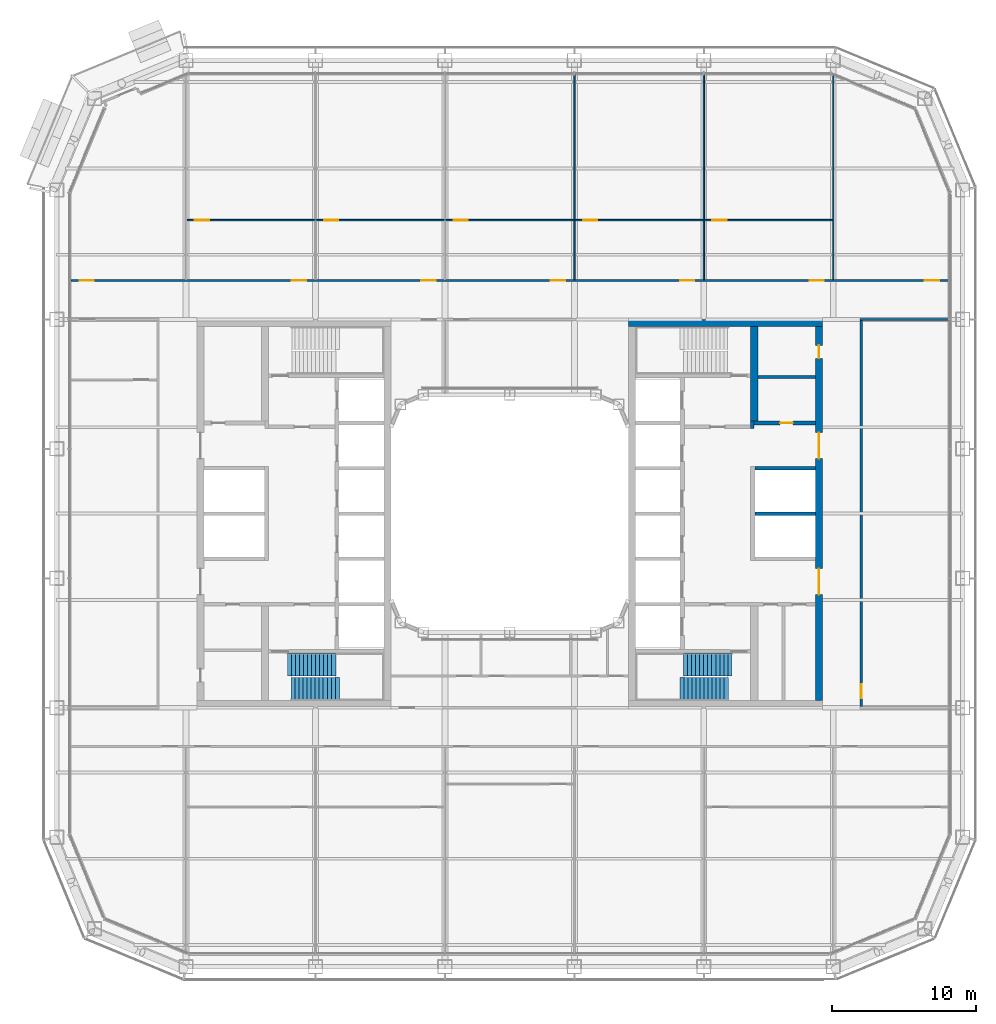
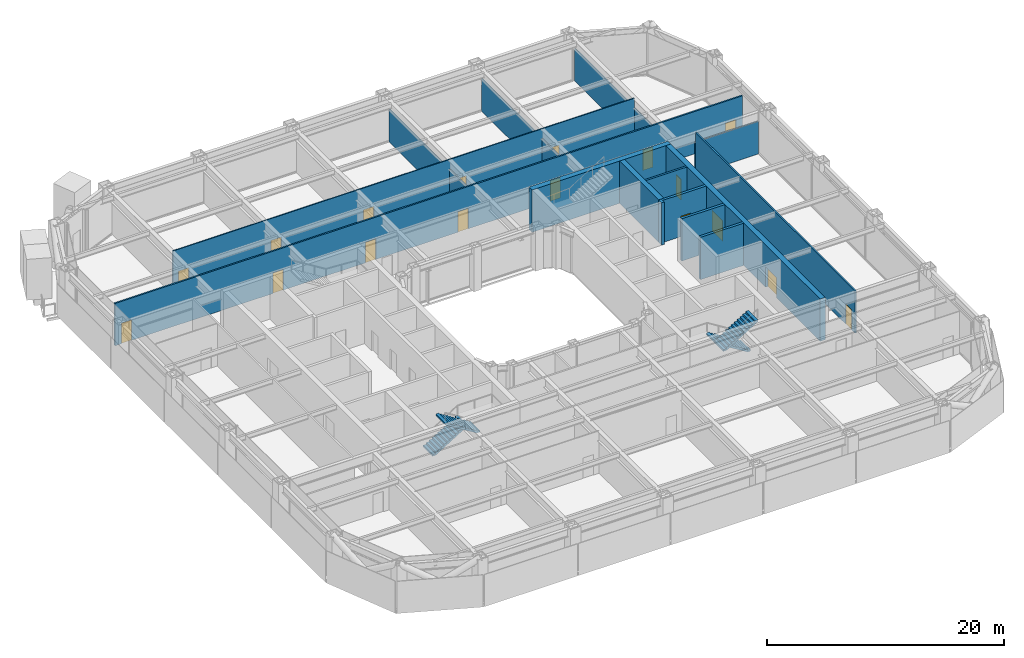
# One storey, part 16 of 29: 17 doors, 17 walls, 4 stair flights, 17 openings, 2 elements without a shape of their own.
"""IFC4 building model written with IfcOpenShell, lengths in metres."""

from ifc_helpers import new_model, si_unit, direction, frame, frame_2d, origin, place, context, subcontext, project, spatial, polyline, rectangle, outline, extrude, material, layer, layer_set, type_object, element, fill, aggregate, save


model = new_model("IFC4")

# Units and contexts
model_context = context("Model", 3, precision=1e-05, world=origin(), true_north=direction((0.0, 1.0)))
body_context = subcontext(model_context, "Body", "Model", "MODEL_VIEW")
ifc_project = project(units=[si_unit("LENGTHUNIT", "METRE"), si_unit("AREAUNIT", "SQUARE_METRE"), si_unit("VOLUMEUNIT", "CUBIC_METRE"), si_unit("PLANEANGLEUNIT", "RADIAN"), si_unit("MASSUNIT", "GRAM", prefix="KILO")], contexts=[model_context])

# Site, building, storey
site_placement = place(None, origin())
site = spatial("IfcSite", under=ifc_project, at=site_placement, CompositionType="ELEMENT")
building_placement = place(site_placement, origin())
building = spatial("IfcBuilding", under=site, at=building_placement, Name="Siwar Civic Tower", CompositionType="ELEMENT")
storey_placement = place(building_placement, frame((0.0, 0.0, 67.199951171875)))
storey = spatial("IfcBuildingStorey", under=building, at=storey_placement, Name="L14", CompositionType="ELEMENT", Elevation=67.199951171875)

# Walls
ifc_material_1 = material(Name="Gypsum board on steel studs", Category="steel")
ifc_layer_1 = layer(ifc_material_1, 0.199951171875)
ifc_layer_set_1 = layer_set([ifc_layer_1], Name="Gypsum board on steel studs")
wall_type_1 = type_object("IfcWallType", Name="CORE-PARTITION-200", PredefinedType="PARTITIONING", material=ifc_layer_set_1)
wall_1_placement = place(storey_placement, frame((17.25, 9.5, 0.0), z_axis=(0.0, 0.0, 1.0), x_axis=(1.0, 0.0, 0.0)))
element("IfcWall", 1, at=wall_1_placement, inside=storey, type_object=wall_type_1, Name="Core partition E", PredefinedType="PARTITIONING", context=body_context, shape_type="SweptSolid", body=[
    extrude(rectangle(XDim=4.0, YDim=0.199951171875, at=frame_2d((2.0, 0.0))), origin(), (0.0, 0.0, 1.0), 4.35009765625),
])
ifc_material_2 = material(Name="Concrete C60/75", Category="concrete")
ifc_layer_2 = layer(ifc_material_2, 0.25)
ifc_layer_set_2 = layer_set([ifc_layer_2], Name="Concrete C60/75")
wall_type_2 = type_object("IfcWallType", Name="CORE-WALL-RC250", PredefinedType="SHEAR", material=ifc_layer_set_2)
wall_2_placement = place(storey_placement, frame((16.875, 5.89990234375, 0.0), z_axis=(0.0, 0.0, 1.0), x_axis=(0.0, 1.0, 0.0)))
element("IfcWall", 2, at=wall_2_placement, inside=storey, type_object=wall_type_2, Name="Core wall E", PredefinedType="SHEAR", context=body_context, shape_type="SweptSolid", body=[
    extrude(rectangle(XDim=0.525146484375, YDim=0.25, at=frame_2d((0.2626953125, 0.0))), origin(), (0.0, 0.0, 1.0), 4.35009765625),
])

# Wall, opening, door
wall_3_placement = place(storey_placement, frame((17.0, 6.300048828125, 0.0), z_axis=(0.0, 0.0, 1.0), x_axis=(1.0, 0.0, 0.0)))
wall_3 = element("IfcWall", 3, at=wall_3_placement, inside=storey, type_object=wall_type_2, Name="Core wall E", PredefinedType="SHEAR", context=body_context, shape_type="SweptSolid", body=[
    extrude(rectangle(XDim=4.25, YDim=0.25, at=frame_2d((2.125, 0.0))), origin(), (0.0, 0.0, 1.0), 4.35009765625),
])
opening_1_placement = place(wall_3_placement, frame((1.800048828125, 0.0, 0.0)))
opening_1 = element("IfcOpeningElement", 4, at=opening_1_placement, cuts=wall_3, Name="Opening L14-CE13", PredefinedType="OPENING", context=body_context, shape_type="SweptSolid", body=[
    extrude(rectangle(XDim=0.89990234375, YDim=2.10009765625, at=frame_2d((0.449951171875, 1.050048828125))), frame((0.0, 0.135009765625, 0.0), z_axis=(0.0, -1.0, 0.0), x_axis=(1.0, 0.0, 0.0)), (0.0, 0.0, 1.0), 0.27001953125),
])
ifc_material_3 = material(Name="Steel door leaf", Category="steel")
door_type_1 = type_object("IfcDoorType", Name="CORE-DOOR-ROOM", OperationType="SINGLE_SWING_LEFT", PredefinedType="DOOR", material=ifc_material_3)
door_1_placement = place(opening_1_placement, origin())
door_1 = element("IfcDoor", 5, at=door_1_placement, inside=storey, type_object=door_type_1, Name="Core room door L14-CE13", OperationType="SINGLE_SWING_RIGHT", OverallHeight=2.10009765625, OverallWidth=0.89990234375, PredefinedType="DOOR", context=body_context, shape_type="SweptSolid", body=[
    extrude(rectangle(XDim=0.89990234375, YDim=2.10009765625, at=frame_2d((0.449951171875, 1.050048828125))), frame((0.0, 0.02490234375, 0.0), z_axis=(0.0, -1.0, 0.0), x_axis=(1.0, 0.0, 0.0)), (0.0, 0.0, 1.0), 0.050048828125),
])
fill(opening_1, door_1)

# Walls
for number, where, z_axis, x_axis, name in (
    (6, (17.050048828125, 0.0, 0.0), (0.0, 0.0, 1.0), (1.0, 0.0, 0.0), "Core wall E"),
    (7, (17.050048828125, 3.14990234375, 0.0), (0.0, 0.0, 1.0), (1.0, 0.0, 0.0), "Core wall E"),
):
    element("IfcWall", number, at=place(storey_placement, frame(where, z_axis=z_axis, x_axis=x_axis)), inside=storey, type_object=wall_type_2, Name=name, PredefinedType="SHEAR", context=body_context, shape_type="SweptSolid", body=[
        extrude(rectangle(XDim=4.199951171875, YDim=0.25, at=frame_2d((2.10009765625, 0.0))), origin(), (0.0, 0.0, 1.0), 4.35009765625),
    ])

# Wall, openings, doors
ifc_material_4 = material(Name="Concrete C60/75", Category="concrete")
ifc_layer_3 = layer(ifc_material_4, 0.5)
ifc_layer_set_3 = layer_set([ifc_layer_3], Name="Concrete C60/75")
wall_type_3 = type_object("IfcWallType", Name="CORE-WALL-RC500", PredefinedType="SHEAR", material=ifc_layer_set_3)
wall_4_placement = place(storey_placement, frame((21.5, -13.0, 0.0), z_axis=(0.0, 0.0, 1.0), x_axis=(0.0, 1.0, 0.0)))
wall_4 = element("IfcWall", 8, at=wall_4_placement, inside=storey, type_object=wall_type_3, Name="Core wall E", PredefinedType="SHEAR", context=body_context, shape_type="SweptSolid", body=[
    extrude(rectangle(XDim=26.0, YDim=0.5, at=frame_2d((13.0, 0.0))), origin(), (0.0, 0.0, 1.0), 4.35009765625),
])
opening_2_placement = place(wall_4_placement, frame((16.824951171875, 0.0, 0.0)))
opening_2 = element("IfcOpeningElement", 9, at=opening_2_placement, cuts=wall_4, Name="Opening L14-CE05", PredefinedType="OPENING", context=body_context, shape_type="SweptSolid", body=[
    extrude(rectangle(XDim=1.800048828125, YDim=2.10009765625, at=frame_2d((0.89990234375, 1.050048828125))), frame((0.0, 0.260009765625, 0.0), z_axis=(0.0, -1.0, 0.0), x_axis=(1.0, 0.0, 0.0)), (0.0, 0.0, 1.0), 0.52001953125),
])
opening_3_placement = place(wall_4_placement, frame((7.375, 0.0, 0.0)))
opening_3 = element("IfcOpeningElement", 10, at=opening_3_placement, cuts=wall_4, Name="Opening L14-CE06", PredefinedType="OPENING", context=body_context, shape_type="SweptSolid", body=[
    extrude(rectangle(XDim=1.800048828125, YDim=2.10009765625, at=frame_2d((0.89990234375, 1.050048828125))), frame((0.0, 0.260009765625, 0.0), z_axis=(0.0, -1.0, 0.0), x_axis=(1.0, 0.0, 0.0)), (0.0, 0.0, 1.0), 0.52001953125),
])
opening_4_placement = place(wall_4_placement, frame((23.800048828125, 0.0, 0.0)))
opening_4 = element("IfcOpeningElement", 11, at=opening_4_placement, cuts=wall_4, Name="Opening L14-CE14", PredefinedType="OPENING", context=body_context, shape_type="SweptSolid", body=[
    extrude(rectangle(XDim=0.89990234375, YDim=2.10009765625, at=frame_2d((0.449951171875, 1.050048828125))), frame((0.0, 0.260009765625, 0.0), z_axis=(0.0, -1.0, 0.0), x_axis=(1.0, 0.0, 0.0)), (0.0, 0.0, 1.0), 0.52001953125),
])
ifc_material_5 = material(Name="Steel door leaf", Category="steel")
door_type_2 = type_object("IfcDoorType", Name="CORE-DOOR-PORT", OperationType="DOUBLE_DOOR_DOUBLE_SWING", PredefinedType="DOOR", material=ifc_material_5)
door_2_placement = place(opening_2_placement, origin())
door_2 = element("IfcDoor", 12, at=door_2_placement, inside=storey, type_object=door_type_2, Name="Core entrance door L14-CE05", OperationType="DOUBLE_DOOR_DOUBLE_SWING", OverallHeight=2.10009765625, OverallWidth=1.800048828125, PredefinedType="DOOR", context=body_context, shape_type="SweptSolid", body=[
    extrude(rectangle(XDim=1.800048828125, YDim=2.10009765625, at=frame_2d((0.89990234375, 1.050048828125))), frame((0.0, 0.02490234375, 0.0), z_axis=(0.0, -1.0, 0.0), x_axis=(1.0, 0.0, 0.0)), (0.0, 0.0, 1.0), 0.050048828125),
])
fill(opening_2, door_2)
door_3_placement = place(opening_3_placement, origin())
door_3 = element("IfcDoor", 13, at=door_3_placement, inside=storey, type_object=door_type_2, Name="Core entrance door L14-CE06", OperationType="DOUBLE_DOOR_DOUBLE_SWING", OverallHeight=2.10009765625, OverallWidth=1.800048828125, PredefinedType="DOOR", context=body_context, shape_type="SweptSolid", body=[
    extrude(rectangle(XDim=1.800048828125, YDim=2.10009765625, at=frame_2d((0.89990234375, 1.050048828125))), frame((0.0, 0.02490234375, 0.0), z_axis=(0.0, -1.0, 0.0), x_axis=(1.0, 0.0, 0.0)), (0.0, 0.0, 1.0), 0.050048828125),
])
fill(opening_3, door_3)
door_4_placement = place(opening_4_placement, origin())
door_4 = element("IfcDoor", 14, at=door_4_placement, inside=storey, type_object=door_type_1, Name="Core room door L14-CE14", OperationType="SINGLE_SWING_RIGHT", OverallHeight=2.10009765625, OverallWidth=0.89990234375, PredefinedType="DOOR", context=body_context, shape_type="SweptSolid", body=[
    extrude(rectangle(XDim=0.89990234375, YDim=2.10009765625, at=frame_2d((0.449951171875, 1.050048828125))), frame((0.0, 0.02490234375, 0.0), z_axis=(0.0, -1.0, 0.0), x_axis=(1.0, 0.0, 0.0)), (0.0, 0.0, 1.0), 0.050048828125),
])
fill(opening_4, door_4)

# Walls
wall_5_placement = place(storey_placement, frame((17.0, 6.425048828125, 0.0), z_axis=(0.0, 0.0, 1.0), x_axis=(0.0, 1.0, 0.0)))
element("IfcWall", 15, at=wall_5_placement, inside=storey, type_object=wall_type_3, Name="Core wall E", PredefinedType="SHEAR", context=body_context, shape_type="SweptSolid", body=[
    extrude(rectangle(XDim=6.574951171875, YDim=0.5, at=frame_2d((3.28759765625, 0.0))), origin(), (0.0, 0.0, 1.0), 4.35009765625),
])
wall_6_placement = place(storey_placement, frame((8.25, 13.25, 0.0), z_axis=(0.0, 0.0, 1.0), x_axis=(1.0, 0.0, 0.0)))
element("IfcWall", 16, at=wall_6_placement, inside=storey, type_object=wall_type_3, Name="Core wall E", PredefinedType="SHEAR", context=body_context, shape_type="SweptSolid", body=[
    extrude(rectangle(XDim=13.5, YDim=0.5, at=frame_2d((6.75, 0.0))), origin(), (0.0, 0.0, 1.0), 4.35009765625),
])
ifc_material_6 = material(Name="Gypsum board on steel studs", Category="steel")
ifc_layer_4 = layer(ifc_material_6, 0.14990234375)
ifc_layer_set_4 = layer_set([ifc_layer_4], Name="Gypsum board on steel studs")
wall_type_4 = type_object("IfcWallType", Name="CORRIDOR PARTITION 150 EI 30", PredefinedType="PARTITIONING", material=ifc_layer_set_4)
wall_7_placement = place(storey_placement, frame((24.375, 13.5, 0.0), z_axis=(0.0, 0.0, 1.0), x_axis=(1.0, 0.0, 0.0)))
element("IfcWall", 17, at=wall_7_placement, inside=storey, type_object=wall_type_4, Name="L14/wall/P13", PredefinedType="PARTITIONING", context=body_context, shape_type="SweptSolid", body=[
    extrude(rectangle(XDim=6.135009765625, YDim=0.14990234375, at=frame_2d((3.0673828125, 0.0))), origin(), (0.0, 0.0, 1.0), 3.35009765625),
])

# Wall, openings, doors
wall_8_placement = place(storey_placement, frame((-30.510009765625, 16.199951171875, 0.0), z_axis=(0.0, 0.0, 1.0), x_axis=(1.0, 0.0, 0.0)))
wall_8 = element("IfcWall", 18, at=wall_8_placement, inside=storey, type_object=wall_type_4, Name="L14/wall/P14", PredefinedType="PARTITIONING", context=body_context, shape_type="SweptSolid", body=[
    extrude(rectangle(XDim=61.02001953125, YDim=0.14990234375, at=frame_2d((30.510009765625, 0.0))), origin(), (0.0, 0.0, 1.0), 4.35009765625),
])
opening_5_placement = place(wall_8_placement, frame((15.360107421875, 0.0, 0.0)))
opening_5 = element("IfcOpeningElement", 19, at=opening_5_placement, cuts=wall_8, Name="Opening D1", PredefinedType="OPENING", context=body_context, shape_type="SweptSolid", body=[
    extrude(rectangle(XDim=1.0, YDim=2.10009765625, at=frame_2d((0.5, 1.050048828125))), frame((0.0, 0.0849609375, 0.0), z_axis=(0.0, -1.0, 0.0), x_axis=(1.0, 0.0, 0.0)), (0.0, 0.0, 1.0), 0.169921875),
])
opening_6_placement = place(wall_8_placement, frame((24.360107421875, 0.0, 0.0)))
opening_6 = element("IfcOpeningElement", 20, at=opening_6_placement, cuts=wall_8, Name="Opening D1", PredefinedType="OPENING", context=body_context, shape_type="SweptSolid", body=[
    extrude(rectangle(XDim=1.0, YDim=2.10009765625, at=frame_2d((0.5, 1.050048828125))), frame((0.0, 0.0849609375, 0.0), z_axis=(0.0, -1.0, 0.0), x_axis=(1.0, 0.0, 0.0)), (0.0, 0.0, 1.0), 0.169921875),
])
opening_7_placement = place(wall_8_placement, frame((33.360107421875, 0.0, 0.0)))
opening_7 = element("IfcOpeningElement", 21, at=opening_7_placement, cuts=wall_8, Name="Opening D1", PredefinedType="OPENING", context=body_context, shape_type="SweptSolid", body=[
    extrude(rectangle(XDim=1.0, YDim=2.10009765625, at=frame_2d((0.5, 1.050048828125))), frame((0.0, 0.0849609375, 0.0), z_axis=(0.0, -1.0, 0.0), x_axis=(1.0, 0.0, 0.0)), (0.0, 0.0, 1.0), 0.169921875),
])
opening_8_placement = place(wall_8_placement, frame((42.360107421875, 0.0, 0.0)))
opening_8 = element("IfcOpeningElement", 22, at=opening_8_placement, cuts=wall_8, Name="Opening D1", PredefinedType="OPENING", context=body_context, shape_type="SweptSolid", body=[
    extrude(rectangle(XDim=1.0, YDim=2.10009765625, at=frame_2d((0.5, 1.050048828125))), frame((0.0, 0.0849609375, 0.0), z_axis=(0.0, -1.0, 0.0), x_axis=(1.0, 0.0, 0.0)), (0.0, 0.0, 1.0), 0.169921875),
])
opening_9_placement = place(wall_8_placement, frame((51.360107421875, 0.0, 0.0)))
opening_9 = element("IfcOpeningElement", 23, at=opening_9_placement, cuts=wall_8, Name="Opening D1", PredefinedType="OPENING", context=body_context, shape_type="SweptSolid", body=[
    extrude(rectangle(XDim=1.0, YDim=2.10009765625, at=frame_2d((0.5, 1.050048828125))), frame((0.0, 0.0849609375, 0.0), z_axis=(0.0, -1.0, 0.0), x_axis=(1.0, 0.0, 0.0)), (0.0, 0.0, 1.0), 0.169921875),
])
opening_10_placement = place(wall_8_placement, frame((0.610107421875, 0.0, 0.0)))
opening_10 = element("IfcOpeningElement", 24, at=opening_10_placement, cuts=wall_8, Name="Opening D1", PredefinedType="OPENING", context=body_context, shape_type="SweptSolid", body=[
    extrude(rectangle(XDim=1.0, YDim=2.10009765625, at=frame_2d((0.5, 1.050048828125))), frame((0.0, 0.0849609375, 0.0), z_axis=(0.0, -1.0, 0.0), x_axis=(1.0, 0.0, 0.0)), (0.0, 0.0, 1.0), 0.169921875),
])
opening_11_placement = place(wall_8_placement, frame((59.3701171875, 0.0, 0.0)))
opening_11 = element("IfcOpeningElement", 25, at=opening_11_placement, cuts=wall_8, Name="Opening D1", PredefinedType="OPENING", context=body_context, shape_type="SweptSolid", body=[
    extrude(rectangle(XDim=1.0, YDim=2.10009765625, at=frame_2d((0.5, 1.050048828125))), frame((0.0, 0.0849609375, 0.0), z_axis=(0.0, -1.0, 0.0), x_axis=(1.0, 0.0, 0.0)), (0.0, 0.0, 1.0), 0.169921875),
])
ifc_material_7 = material(Name="Timber, painted", Category="wood")
door_type_3 = type_object("IfcDoorType", Name="DOOR 1000 X 2100 FD30", OperationType="SINGLE_SWING_LEFT", PredefinedType="DOOR", material=ifc_material_7)
door_5_placement = place(opening_5_placement, origin())
door_5 = element("IfcDoor", 26, at=door_5_placement, inside=storey, type_object=door_type_3, Name="L14-D01", OperationType="SINGLE_SWING_LEFT", OverallHeight=2.10009765625, OverallWidth=1.0, PredefinedType="DOOR", context=body_context, shape_type="SweptSolid", body=[
    extrude(rectangle(XDim=1.0, YDim=2.10009765625, at=frame_2d((0.5, 1.050048828125))), frame((0.0, 0.02490234375, 0.0), z_axis=(0.0, -1.0, 0.0), x_axis=(1.0, 0.0, 0.0)), (0.0, 0.0, 1.0), 0.050048828125),
])
fill(opening_5, door_5)
door_6_placement = place(opening_6_placement, origin())
door_6 = element("IfcDoor", 27, at=door_6_placement, inside=storey, type_object=door_type_3, Name="L14-D03", OperationType="SINGLE_SWING_LEFT", OverallHeight=2.10009765625, OverallWidth=1.0, PredefinedType="DOOR", context=body_context, shape_type="SweptSolid", body=[
    extrude(rectangle(XDim=1.0, YDim=2.10009765625, at=frame_2d((0.5, 1.050048828125))), frame((0.0, 0.02490234375, 0.0), z_axis=(0.0, -1.0, 0.0), x_axis=(1.0, 0.0, 0.0)), (0.0, 0.0, 1.0), 0.050048828125),
])
fill(opening_6, door_6)
door_7_placement = place(opening_7_placement, origin())
door_7 = element("IfcDoor", 28, at=door_7_placement, inside=storey, type_object=door_type_3, Name="L14-D05", OperationType="SINGLE_SWING_LEFT", OverallHeight=2.10009765625, OverallWidth=1.0, PredefinedType="DOOR", context=body_context, shape_type="SweptSolid", body=[
    extrude(rectangle(XDim=1.0, YDim=2.10009765625, at=frame_2d((0.5, 1.050048828125))), frame((0.0, 0.02490234375, 0.0), z_axis=(0.0, -1.0, 0.0), x_axis=(1.0, 0.0, 0.0)), (0.0, 0.0, 1.0), 0.050048828125),
])
fill(opening_7, door_7)
door_8_placement = place(opening_8_placement, origin())
door_8 = element("IfcDoor", 29, at=door_8_placement, inside=storey, type_object=door_type_3, Name="L14-D07", OperationType="SINGLE_SWING_LEFT", OverallHeight=2.10009765625, OverallWidth=1.0, PredefinedType="DOOR", context=body_context, shape_type="SweptSolid", body=[
    extrude(rectangle(XDim=1.0, YDim=2.10009765625, at=frame_2d((0.5, 1.050048828125))), frame((0.0, 0.02490234375, 0.0), z_axis=(0.0, -1.0, 0.0), x_axis=(1.0, 0.0, 0.0)), (0.0, 0.0, 1.0), 0.050048828125),
])
fill(opening_8, door_8)
door_9_placement = place(opening_9_placement, origin())
door_9 = element("IfcDoor", 30, at=door_9_placement, inside=storey, type_object=door_type_3, Name="L14-D09", OperationType="SINGLE_SWING_LEFT", OverallHeight=2.10009765625, OverallWidth=1.0, PredefinedType="DOOR", context=body_context, shape_type="SweptSolid", body=[
    extrude(rectangle(XDim=1.0, YDim=2.10009765625, at=frame_2d((0.5, 1.050048828125))), frame((0.0, 0.02490234375, 0.0), z_axis=(0.0, -1.0, 0.0), x_axis=(1.0, 0.0, 0.0)), (0.0, 0.0, 1.0), 0.050048828125),
])
fill(opening_9, door_9)
door_10_placement = place(opening_10_placement, origin())
door_10 = element("IfcDoor", 31, at=door_10_placement, inside=storey, type_object=door_type_3, Name="L14-D20", OperationType="SINGLE_SWING_RIGHT", OverallHeight=2.10009765625, OverallWidth=1.0, PredefinedType="DOOR", context=body_context, shape_type="SweptSolid", body=[
    extrude(rectangle(XDim=1.0, YDim=2.10009765625, at=frame_2d((0.5, 1.050048828125))), frame((0.0, 0.02490234375, 0.0), z_axis=(0.0, -1.0, 0.0), x_axis=(1.0, 0.0, 0.0)), (0.0, 0.0, 1.0), 0.050048828125),
])
fill(opening_10, door_10)
door_11_placement = place(opening_11_placement, origin())
door_11 = element("IfcDoor", 32, at=door_11_placement, inside=storey, type_object=door_type_3, Name="L14-D21", OperationType="SINGLE_SWING_LEFT", OverallHeight=2.10009765625, OverallWidth=1.0, PredefinedType="DOOR", context=body_context, shape_type="SweptSolid", body=[
    extrude(rectangle(XDim=1.0, YDim=2.10009765625, at=frame_2d((0.5, 1.050048828125))), frame((0.0, 0.02490234375, 0.0), z_axis=(0.0, -1.0, 0.0), x_axis=(1.0, 0.0, 0.0)), (0.0, 0.0, 1.0), 0.050048828125),
])
fill(opening_11, door_11)

# Wall, opening, door
wall_9_placement = place(storey_placement, frame((24.449951171875, -13.425048828125, 0.0), z_axis=(0.0, 0.0, 1.0), x_axis=(0.0, 1.0, 0.0)))
wall_9 = element("IfcWall", 33, at=wall_9_placement, inside=storey, type_object=wall_type_4, Name="L14/wall/P39", PredefinedType="PARTITIONING", context=body_context, shape_type="SweptSolid", body=[
    extrude(rectangle(XDim=26.85009765625, YDim=0.14990234375, at=frame_2d((13.425048828125, 0.0))), origin(), (0.0, 0.0, 1.0), 4.35009765625),
])
opening_12_placement = place(wall_9_placement, frame((0.574951171875, 0.0, 0.0)))
opening_12 = element("IfcOpeningElement", 34, at=opening_12_placement, cuts=wall_9, Name="Opening D1", PredefinedType="OPENING", context=body_context, shape_type="SweptSolid", body=[
    extrude(rectangle(XDim=1.0, YDim=2.10009765625, at=frame_2d((0.5, 1.050048828125))), frame((0.0, 0.0849609375, 0.0), z_axis=(0.0, -1.0, 0.0), x_axis=(1.0, 0.0, 0.0)), (0.0, 0.0, 1.0), 0.169921875),
])
door_12_placement = place(opening_12_placement, origin())
door_12 = element("IfcDoor", 35, at=door_12_placement, inside=storey, type_object=door_type_3, Name="L14-D27", OperationType="SINGLE_SWING_LEFT", OverallHeight=2.10009765625, OverallWidth=1.0, PredefinedType="DOOR", context=body_context, shape_type="SweptSolid", body=[
    extrude(rectangle(XDim=1.0, YDim=2.10009765625, at=frame_2d((0.5, 1.050048828125))), frame((0.0, 0.02490234375, 0.0), z_axis=(0.0, -1.0, 0.0), x_axis=(1.0, 0.0, 0.0)), (0.0, 0.0, 1.0), 0.050048828125),
])
fill(opening_12, door_12)

# Wall, openings, doors
ifc_material_8 = material(Name="Gypsum board on steel studs", Category="steel")
ifc_layer_5 = layer(ifc_material_8, 0.10009765625)
ifc_layer_set_5 = layer_set([ifc_layer_5], Name="Gypsum board on steel studs")
wall_type_5 = type_object("IfcWallType", Name="PARTITION 100 GYPSUM", PredefinedType="PARTITIONING", material=ifc_layer_set_5)
wall_10_placement = place(storey_placement, frame((-22.449951171875, 20.39990234375, 0.0), z_axis=(0.0, 0.0, 1.0), x_axis=(1.0, 0.0, 0.0)))
wall_10 = element("IfcWall", 36, at=wall_10_placement, inside=storey, type_object=wall_type_5, Name="L14/wall/P15", PredefinedType="PARTITIONING", context=body_context, shape_type="SweptSolid", body=[
    extrude(rectangle(XDim=44.89990234375, YDim=0.10009765625, at=frame_2d((22.449951171875, 0.0))), origin(), (0.0, 0.0, 1.0), 4.35009765625),
])
opening_13_placement = place(wall_10_placement, frame((0.550048828125, 0.0, 0.0)))
opening_13 = element("IfcOpeningElement", 37, at=opening_13_placement, cuts=wall_10, Name="Opening D2", PredefinedType="OPENING", context=body_context, shape_type="SweptSolid", body=[
    extrude(rectangle(XDim=1.0, YDim=2.10009765625, at=frame_2d((0.5, 1.050048828125))), frame((0.0, 0.06005859375, 0.0), z_axis=(0.0, -1.0, 0.0), x_axis=(1.0, 0.0, 0.0)), (0.0, 0.0, 1.0), 0.1201171875),
])
opening_14_placement = place(wall_10_placement, frame((9.550048828125, 0.0, 0.0)))
opening_14 = element("IfcOpeningElement", 38, at=opening_14_placement, cuts=wall_10, Name="Opening D2", PredefinedType="OPENING", context=body_context, shape_type="SweptSolid", body=[
    extrude(rectangle(XDim=1.0, YDim=2.10009765625, at=frame_2d((0.5, 1.050048828125))), frame((0.0, 0.06005859375, 0.0), z_axis=(0.0, -1.0, 0.0), x_axis=(1.0, 0.0, 0.0)), (0.0, 0.0, 1.0), 0.1201171875),
])
opening_15_placement = place(wall_10_placement, frame((18.550048828125, 0.0, 0.0)))
opening_15 = element("IfcOpeningElement", 39, at=opening_15_placement, cuts=wall_10, Name="Opening D2", PredefinedType="OPENING", context=body_context, shape_type="SweptSolid", body=[
    extrude(rectangle(XDim=1.0, YDim=2.10009765625, at=frame_2d((0.5, 1.050048828125))), frame((0.0, 0.06005859375, 0.0), z_axis=(0.0, -1.0, 0.0), x_axis=(1.0, 0.0, 0.0)), (0.0, 0.0, 1.0), 0.1201171875),
])
opening_16_placement = place(wall_10_placement, frame((27.550048828125, 0.0, 0.0)))
opening_16 = element("IfcOpeningElement", 40, at=opening_16_placement, cuts=wall_10, Name="Opening D2", PredefinedType="OPENING", context=body_context, shape_type="SweptSolid", body=[
    extrude(rectangle(XDim=1.0, YDim=2.10009765625, at=frame_2d((0.5, 1.050048828125))), frame((0.0, 0.06005859375, 0.0), z_axis=(0.0, -1.0, 0.0), x_axis=(1.0, 0.0, 0.0)), (0.0, 0.0, 1.0), 0.1201171875),
])
opening_17_placement = place(wall_10_placement, frame((36.550048828125, 0.0, 0.0)))
opening_17 = element("IfcOpeningElement", 41, at=opening_17_placement, cuts=wall_10, Name="Opening D2", PredefinedType="OPENING", context=body_context, shape_type="SweptSolid", body=[
    extrude(rectangle(XDim=1.0, YDim=2.10009765625, at=frame_2d((0.5, 1.050048828125))), frame((0.0, 0.06005859375, 0.0), z_axis=(0.0, -1.0, 0.0), x_axis=(1.0, 0.0, 0.0)), (0.0, 0.0, 1.0), 0.1201171875),
])
ifc_material_9 = material(Name="Timber, painted", Category="wood")
door_type_4 = type_object("IfcDoorType", Name="DOOR 1000 X 2100", OperationType="SINGLE_SWING_LEFT", PredefinedType="DOOR", material=ifc_material_9)
door_13_placement = place(opening_13_placement, origin())
door_13 = element("IfcDoor", 42, at=door_13_placement, inside=storey, type_object=door_type_4, Name="L14-D02", OperationType="SINGLE_SWING_RIGHT", OverallHeight=2.10009765625, OverallWidth=1.0, PredefinedType="DOOR", context=body_context, shape_type="SweptSolid", body=[
    extrude(rectangle(XDim=1.0, YDim=2.10009765625, at=frame_2d((0.5, 1.050048828125))), frame((0.0, 0.02490234375, 0.0), z_axis=(0.0, -1.0, 0.0), x_axis=(1.0, 0.0, 0.0)), (0.0, 0.0, 1.0), 0.050048828125),
])
fill(opening_13, door_13)
door_14_placement = place(opening_14_placement, origin())
door_14 = element("IfcDoor", 43, at=door_14_placement, inside=storey, type_object=door_type_4, Name="L14-D04", OperationType="SINGLE_SWING_RIGHT", OverallHeight=2.10009765625, OverallWidth=1.0, PredefinedType="DOOR", context=body_context, shape_type="SweptSolid", body=[
    extrude(rectangle(XDim=1.0, YDim=2.10009765625, at=frame_2d((0.5, 1.050048828125))), frame((0.0, 0.02490234375, 0.0), z_axis=(0.0, -1.0, 0.0), x_axis=(1.0, 0.0, 0.0)), (0.0, 0.0, 1.0), 0.050048828125),
])
fill(opening_14, door_14)
door_15_placement = place(opening_15_placement, origin())
door_15 = element("IfcDoor", 44, at=door_15_placement, inside=storey, type_object=door_type_4, Name="L14-D06", OperationType="SINGLE_SWING_RIGHT", OverallHeight=2.10009765625, OverallWidth=1.0, PredefinedType="DOOR", context=body_context, shape_type="SweptSolid", body=[
    extrude(rectangle(XDim=1.0, YDim=2.10009765625, at=frame_2d((0.5, 1.050048828125))), frame((0.0, 0.02490234375, 0.0), z_axis=(0.0, -1.0, 0.0), x_axis=(1.0, 0.0, 0.0)), (0.0, 0.0, 1.0), 0.050048828125),
])
fill(opening_15, door_15)
door_16_placement = place(opening_16_placement, origin())
door_16 = element("IfcDoor", 45, at=door_16_placement, inside=storey, type_object=door_type_4, Name="L14-D08", OperationType="SINGLE_SWING_RIGHT", OverallHeight=2.10009765625, OverallWidth=1.0, PredefinedType="DOOR", context=body_context, shape_type="SweptSolid", body=[
    extrude(rectangle(XDim=1.0, YDim=2.10009765625, at=frame_2d((0.5, 1.050048828125))), frame((0.0, 0.02490234375, 0.0), z_axis=(0.0, -1.0, 0.0), x_axis=(1.0, 0.0, 0.0)), (0.0, 0.0, 1.0), 0.050048828125),
])
fill(opening_16, door_16)
door_17_placement = place(opening_17_placement, origin())
door_17 = element("IfcDoor", 46, at=door_17_placement, inside=storey, type_object=door_type_4, Name="L14-D10", OperationType="SINGLE_SWING_RIGHT", OverallHeight=2.10009765625, OverallWidth=1.0, PredefinedType="DOOR", context=body_context, shape_type="SweptSolid", body=[
    extrude(rectangle(XDim=1.0, YDim=2.10009765625, at=frame_2d((0.5, 1.050048828125))), frame((0.0, 0.02490234375, 0.0), z_axis=(0.0, -1.0, 0.0), x_axis=(1.0, 0.0, 0.0)), (0.0, 0.0, 1.0), 0.050048828125),
])
fill(opening_17, door_17)

# Walls
wall_11_placement = place(storey_placement, frame((4.5, 16.27490234375, 0.0), z_axis=(0.0, 0.0, 1.0), x_axis=(0.0, 1.0, 0.0)))
element("IfcWall", 47, at=wall_11_placement, inside=storey, type_object=wall_type_5, Name="L14/wall/P30", PredefinedType="PARTITIONING", context=body_context, shape_type="SweptSolid", body=[
    extrude(rectangle(XDim=4.0751953125, YDim=0.10009765625, at=frame_2d((2.03759765625, 0.0))), origin(), (0.0, 0.0, 1.0), 3.35009765625),
])
wall_12_placement = place(storey_placement, frame((4.5, 20.449951171875, 0.0), z_axis=(0.0, 0.0, 1.0), x_axis=(0.0, 1.0, 0.0)))
element("IfcWall", 48, at=wall_12_placement, inside=storey, type_object=wall_type_5, Name="L14/wall/P31", PredefinedType="PARTITIONING", context=body_context, shape_type="SweptSolid", body=[
    extrude(rectangle(XDim=10.06005859375, YDim=0.10009765625, at=frame_2d((5.030029296875, 0.0))), origin(), (0.0, 0.0, 1.0), 3.35009765625),
])
wall_13_placement = place(storey_placement, frame((13.5, 16.27490234375, 0.0), z_axis=(0.0, 0.0, 1.0), x_axis=(0.0, 1.0, 0.0)))
element("IfcWall", 49, at=wall_13_placement, inside=storey, type_object=wall_type_5, Name="L14/wall/P34", PredefinedType="PARTITIONING", context=body_context, shape_type="SweptSolid", body=[
    extrude(rectangle(XDim=4.0751953125, YDim=0.10009765625, at=frame_2d((2.03759765625, 0.0))), origin(), (0.0, 0.0, 1.0), 3.35009765625),
])
wall_14_placement = place(storey_placement, frame((13.5, 20.449951171875, 0.0), z_axis=(0.0, 0.0, 1.0), x_axis=(0.0, 1.0, 0.0)))
element("IfcWall", 50, at=wall_14_placement, inside=storey, type_object=wall_type_5, Name="L14/wall/P35", PredefinedType="PARTITIONING", context=body_context, shape_type="SweptSolid", body=[
    extrude(rectangle(XDim=10.06005859375, YDim=0.10009765625, at=frame_2d((5.030029296875, 0.0))), origin(), (0.0, 0.0, 1.0), 3.35009765625),
])
wall_15_placement = place(storey_placement, frame((22.5, 16.27490234375, 0.0), z_axis=(0.0, 0.0, 1.0), x_axis=(0.0, 1.0, 0.0)))
element("IfcWall", 51, at=wall_15_placement, inside=storey, type_object=wall_type_5, Name="L14/wall/P38", PredefinedType="PARTITIONING", context=body_context, shape_type="SweptSolid", body=[
    extrude(rectangle(XDim=14.153076171875, YDim=0.10009765625, at=frame_2d((7.07666015625, 0.0))), origin(), (0.0, 0.0, 1.0), 3.35009765625),
])

# Stair, stair flights
ifc_material_10 = material(Name="Concrete C40/50", Category="concrete")
stair_type = type_object("IfcStairType", Name="CORE-STAIR", PredefinedType="TWO_STRAIGHT_RUN_STAIR", material=ifc_material_10)
stair_1_placement = place(storey_placement, origin())
stair_1 = element("IfcStair", 52, at=stair_1_placement, inside=storey, type_object=stair_type, Name="Exit stair ST2", PredefinedType="TWO_STRAIGHT_RUN_STAIR")
ifc_material_11 = material(Name="Concrete C40/50", Category="concrete")
stair_flight_type = type_object("IfcStairFlightType", Name="CORE-STAIR-FLIGHT", PredefinedType="STRAIGHT", material=ifc_material_11)
stair_flight_1_placement = place(storey_placement, frame((-15.449951171875, -10.5, 0.0), z_axis=(0.0, 0.0, 1.0), x_axis=(1.0, 0.0, 0.0)))
stair_flight_1 = element("IfcStairFlight", 53, at=stair_flight_1_placement, type_object=stair_flight_type, Name="ST2 flight 1", NumberOfRisers=13, NumberOfTreads=12, PredefinedType="STRAIGHT", RiserHeight=0.173076923, TreadLength=0.28, context=body_context, shape_type="SweptSolid", body=[
    extrude(outline(polyline([(0.0, 0.0), (0.0, 0.173095703125), (0.280029296875, 0.173095703125), (0.280029296875, 0.34619140625), (0.56005859375, 0.34619140625), (0.56005859375, 0.519287109375), (0.840087890625, 0.519287109375), (0.840087890625, 0.6923828125), (1.1201171875, 0.6923828125), (1.1201171875, 0.865478515625), (1.39990234375, 0.865478515625), (1.39990234375, 1.03857421875), (1.679931640625, 1.03857421875), (1.679931640625, 1.21142578125), (1.9599609375, 1.21142578125), (1.9599609375, 1.384521484375), (2.239990234375, 1.384521484375), (2.239990234375, 1.5576171875), (2.52001953125, 1.5576171875), (2.52001953125, 1.730712890625), (2.800048828125, 1.730712890625), (2.800048828125, 1.90380859375), (3.080078125, 1.90380859375), (3.080078125, 2.076904296875), (3.360107421875, 2.076904296875), (3.360107421875, 2.25), (3.360107421875, 1.900634765625), (0.28515625, 0.0), (0.0, 0.0)])), frame((0.0, 0.800048828125, 0.0), z_axis=(0.0, -1.0, 0.0), x_axis=(1.0, 0.0, 0.0)), (0.0, 0.0, 1.0), 1.60009765625),
])
stair_flight_2_placement = place(storey_placement, frame((-11.840087890625, -12.199951171875, 2.25), z_axis=(0.0, 0.0, 1.0), x_axis=(-1.0, 0.0, 0.0)))
stair_flight_2 = element("IfcStairFlight", 54, at=stair_flight_2_placement, type_object=stair_flight_type, Name="ST2 flight 2", NumberOfRisers=13, NumberOfTreads=12, PredefinedType="STRAIGHT", RiserHeight=0.173076923, TreadLength=0.28, context=body_context, shape_type="SweptSolid", body=[
    extrude(outline(polyline([(0.0, 0.0), (0.0, 0.173095703125), (0.280029296875, 0.173095703125), (0.280029296875, 0.34619140625), (0.56005859375, 0.34619140625), (0.56005859375, 0.519287109375), (0.840087890625, 0.519287109375), (0.840087890625, 0.6923828125), (1.1201171875, 0.6923828125), (1.1201171875, 0.865478515625), (1.39990234375, 0.865478515625), (1.39990234375, 1.03857421875), (1.679931640625, 1.03857421875), (1.679931640625, 1.21142578125), (1.9599609375, 1.21142578125), (1.9599609375, 1.384521484375), (2.239990234375, 1.384521484375), (2.239990234375, 1.5576171875), (2.52001953125, 1.5576171875), (2.52001953125, 1.730712890625), (2.800048828125, 1.730712890625), (2.800048828125, 1.90380859375), (3.080078125, 1.90380859375), (3.080078125, 2.076904296875), (3.360107421875, 2.076904296875), (3.360107421875, 2.25), (3.360107421875, 1.900634765625), (0.28515625, 0.0), (0.0, 0.0)])), frame((0.0, 0.800048828125, 0.0), z_axis=(0.0, -1.0, 0.0), x_axis=(1.0, 0.0, 0.0)), (0.0, 0.0, 1.0), 1.60009765625),
])
aggregate(stair_1, [stair_flight_1, stair_flight_2])

stair_2_placement = place(storey_placement, origin())
stair_2 = element("IfcStair", 55, at=stair_2_placement, inside=storey, type_object=stair_type, Name="Exit stair ST4", PredefinedType="TWO_STRAIGHT_RUN_STAIR")
stair_flight_3_placement = place(storey_placement, frame((15.449951171875, -10.5, 0.0), z_axis=(0.0, 0.0, 1.0), x_axis=(-1.0, 0.0, 0.0)))
stair_flight_3 = element("IfcStairFlight", 56, at=stair_flight_3_placement, type_object=stair_flight_type, Name="ST4 flight 1", NumberOfRisers=13, NumberOfTreads=12, PredefinedType="STRAIGHT", RiserHeight=0.173076923, TreadLength=0.28, context=body_context, shape_type="SweptSolid", body=[
    extrude(outline(polyline([(0.0, 0.0), (0.0, 0.173095703125), (0.280029296875, 0.173095703125), (0.280029296875, 0.34619140625), (0.56005859375, 0.34619140625), (0.56005859375, 0.519287109375), (0.840087890625, 0.519287109375), (0.840087890625, 0.6923828125), (1.1201171875, 0.6923828125), (1.1201171875, 0.865478515625), (1.39990234375, 0.865478515625), (1.39990234375, 1.03857421875), (1.679931640625, 1.03857421875), (1.679931640625, 1.21142578125), (1.9599609375, 1.21142578125), (1.9599609375, 1.384521484375), (2.239990234375, 1.384521484375), (2.239990234375, 1.5576171875), (2.52001953125, 1.5576171875), (2.52001953125, 1.730712890625), (2.800048828125, 1.730712890625), (2.800048828125, 1.90380859375), (3.080078125, 1.90380859375), (3.080078125, 2.076904296875), (3.360107421875, 2.076904296875), (3.360107421875, 2.25), (3.360107421875, 1.900634765625), (0.28515625, 0.0), (0.0, 0.0)])), frame((0.0, 0.800048828125, 0.0), z_axis=(0.0, -1.0, 0.0), x_axis=(1.0, 0.0, 0.0)), (0.0, 0.0, 1.0), 1.60009765625),
])
stair_flight_4_placement = place(storey_placement, frame((11.840087890625, -12.199951171875, 2.25), z_axis=(0.0, 0.0, 1.0), x_axis=(1.0, 0.0, 0.0)))
stair_flight_4 = element("IfcStairFlight", 57, at=stair_flight_4_placement, type_object=stair_flight_type, Name="ST4 flight 2", NumberOfRisers=13, NumberOfTreads=12, PredefinedType="STRAIGHT", RiserHeight=0.173076923, TreadLength=0.28, context=body_context, shape_type="SweptSolid", body=[
    extrude(outline(polyline([(0.0, 0.0), (0.0, 0.173095703125), (0.280029296875, 0.173095703125), (0.280029296875, 0.34619140625), (0.56005859375, 0.34619140625), (0.56005859375, 0.519287109375), (0.840087890625, 0.519287109375), (0.840087890625, 0.6923828125), (1.1201171875, 0.6923828125), (1.1201171875, 0.865478515625), (1.39990234375, 0.865478515625), (1.39990234375, 1.03857421875), (1.679931640625, 1.03857421875), (1.679931640625, 1.21142578125), (1.9599609375, 1.21142578125), (1.9599609375, 1.384521484375), (2.239990234375, 1.384521484375), (2.239990234375, 1.5576171875), (2.52001953125, 1.5576171875), (2.52001953125, 1.730712890625), (2.800048828125, 1.730712890625), (2.800048828125, 1.90380859375), (3.080078125, 1.90380859375), (3.080078125, 2.076904296875), (3.360107421875, 2.076904296875), (3.360107421875, 2.25), (3.360107421875, 1.900634765625), (0.28515625, 0.0), (0.0, 0.0)])), frame((0.0, 0.800048828125, 0.0), z_axis=(0.0, -1.0, 0.0), x_axis=(1.0, 0.0, 0.0)), (0.0, 0.0, 1.0), 1.60009765625),
])
aggregate(stair_2, [stair_flight_3, stair_flight_4])

save(model, "model.ifc")
